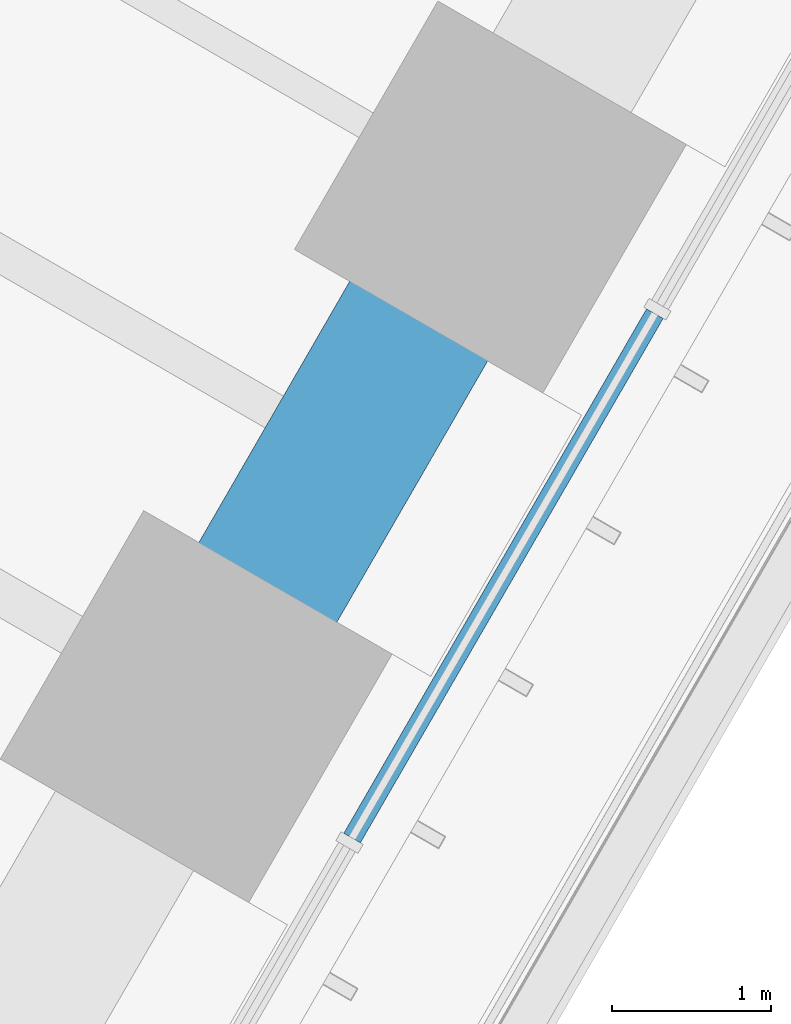
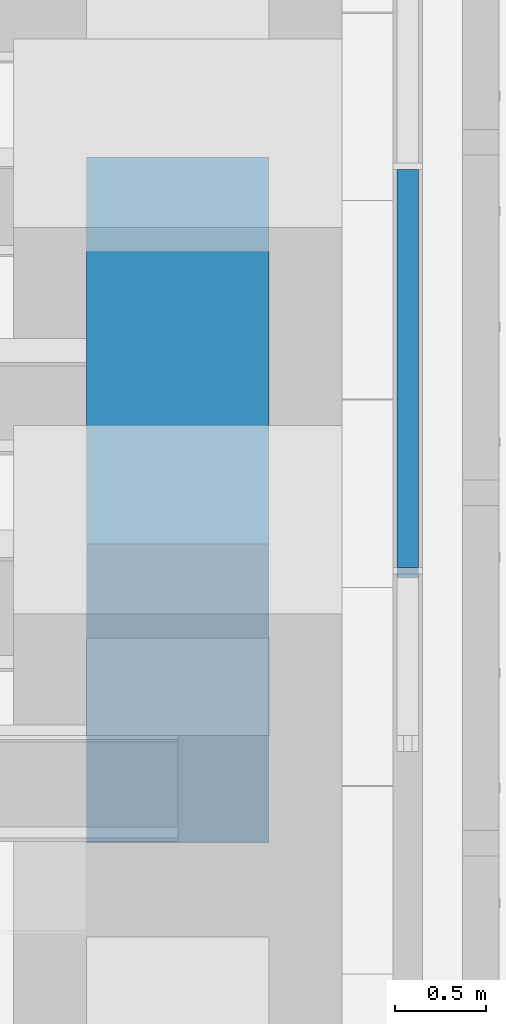
# One storey, part 96 of 228: 1 beam, 1 member, 1 element without a shape of its own.
"""IFC4 building model written with IfcOpenShell, lengths in metres."""

from ifc_helpers import new_model, si_unit, direction, frame, origin, origin_2d, place, context, subcontext, project, spatial, rectangle, extrude, material, material_profile, profile_set, type_object, element, aggregate, save


model = new_model("IFC4")

# Units and contexts
model_context = context("Model", 3, precision=1e-05, world=origin(), true_north=direction((0.0, 1.0)))
body_context = subcontext(model_context, "Body", "Model", "MODEL_VIEW")
ifc_project = project(units=[si_unit("LENGTHUNIT", "METRE"), si_unit("AREAUNIT", "SQUARE_METRE"), si_unit("VOLUMEUNIT", "CUBIC_METRE"), si_unit("PLANEANGLEUNIT", "RADIAN"), si_unit("MASSUNIT", "GRAM", prefix="KILO")], contexts=[model_context])

# Site, building, storey
site_placement = place(None, origin())
site = spatial("IfcSite", under=ifc_project, at=site_placement, CompositionType="ELEMENT")
building_placement = place(site_placement, origin())
building = spatial("IfcBuilding", under=site, at=building_placement, Name="Sandreach Pilgrim Tower", CompositionType="ELEMENT")
storey_placement = place(building_placement, frame((0.0, 0.0, 178.199951171875)))
storey = spatial("IfcBuildingStorey", under=building, at=storey_placement, Name="L44", CompositionType="ELEMENT", Elevation=178.199951171875)

# Curtain wall, member
ifc_material_1 = material(Name="Aluminium framed curtain wall", Category="aluminium")
curtain_wall_type = type_object("IfcCurtainWallType", Name="Upper hotel tower curtain wall", PredefinedType="NOTDEFINED", material=ifc_material_1)
curtain_wall_placement = place(storey_placement, origin())
curtain_wall = element("IfcCurtainWall", 1, at=curtain_wall_placement, inside=storey, type_object=curtain_wall_type, Name="CW-3 L44 SE", PredefinedType="NOTDEFINED")
ifc_material_2 = material(Name="Aluminium extrusion", Category="aluminium")
ifc_material_profile_1 = material_profile(ifc_material_2, rectangle(XDim=0.1201171875, YDim=0.070068359375, at=origin_2d()), Name="CW-3T 120X70")
ifc_profile_set_1 = profile_set([ifc_material_profile_1], Name="Aluminium extrusion")
member_type = type_object("IfcMemberType", Name="CW-3 transom", PredefinedType="USERDEFINED", material=ifc_profile_set_1)
member_placement = place(storey_placement, frame((17.3427734375, -12.281494140625, 4.804931640625), z_axis=(-0.499974606132, -0.866040064445, 0.0), x_axis=(0.866040064445, -0.499974606132, 0.0)))
member = element("IfcMember", 2, at=member_placement, type_object=member_type, Name="CW-3 head transom 6", ObjectType="TRANSOM", PredefinedType="USERDEFINED", context=body_context, shape_type="SweptSolid", body=[
    extrude(rectangle(XDim=0.1201171875, YDim=0.070068359375, at=origin_2d()), origin(), (0.0, 0.0, 1.0), 3.799560546875),
])
aggregate(curtain_wall, [member])

# Beam
ifc_material_3 = material(Name="Concrete 10000 psi", Category="concrete")
ifc_material_profile_2 = material_profile(ifc_material_3, rectangle(XDim=1.0, YDim=2.0, at=origin_2d()), Name="RC1000X2000")
ifc_profile_set_2 = profile_set([ifc_material_profile_2], Name="Concrete 10000 psi")
beam_type = type_object("IfcBeamType", Name="Spandrel beam RC1000X2000", PredefinedType="SPANDREL", material=ifc_profile_set_2)
beam_placement = place(storey_placement, frame((16.310791015625, -11.548828125, 3.840087890625), z_axis=(-0.49996473481, -0.866045763194, 0.0), x_axis=(0.866045763194, -0.49996473481, 0.0)))
element("IfcBeam", 3, at=beam_placement, inside=storey, type_object=beam_type, Name="BM L44 SP18", PredefinedType="SPANDREL", context=body_context, shape_type="SweptSolid", body=[
    extrude(rectangle(XDim=1.0, YDim=2.0, at=origin_2d()), origin(), (0.0, 0.0, 1.0), 3.692626953125),
])

save(model, "model.ifc")
